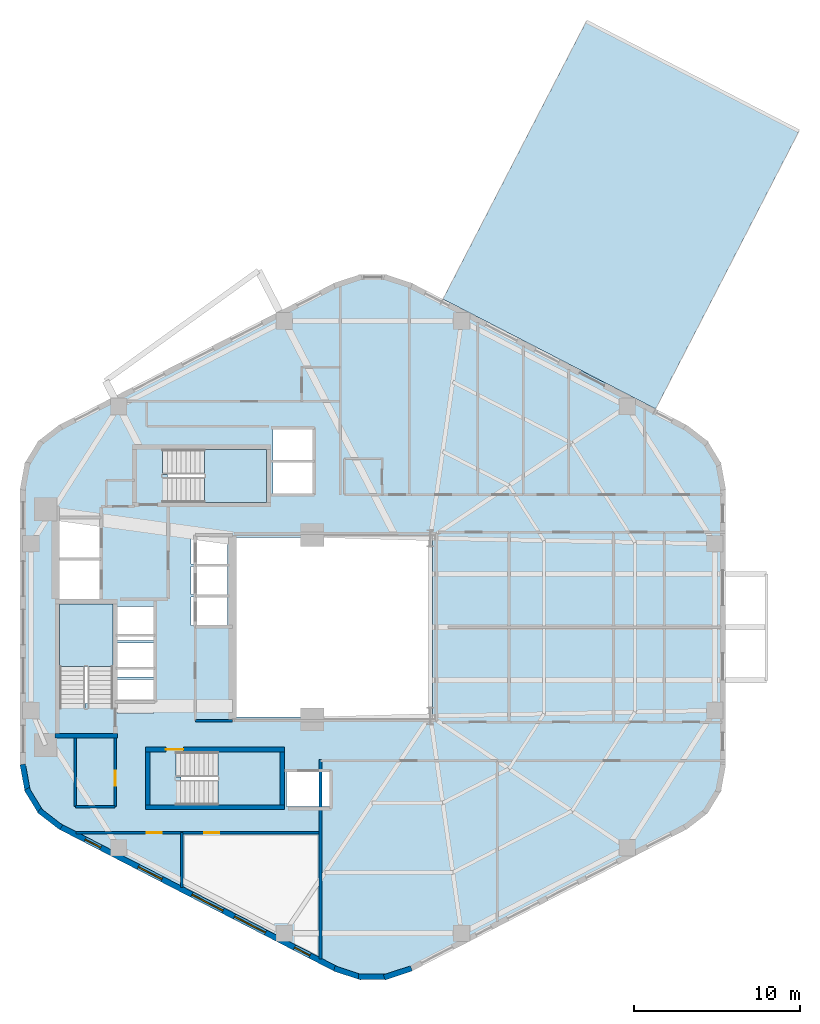
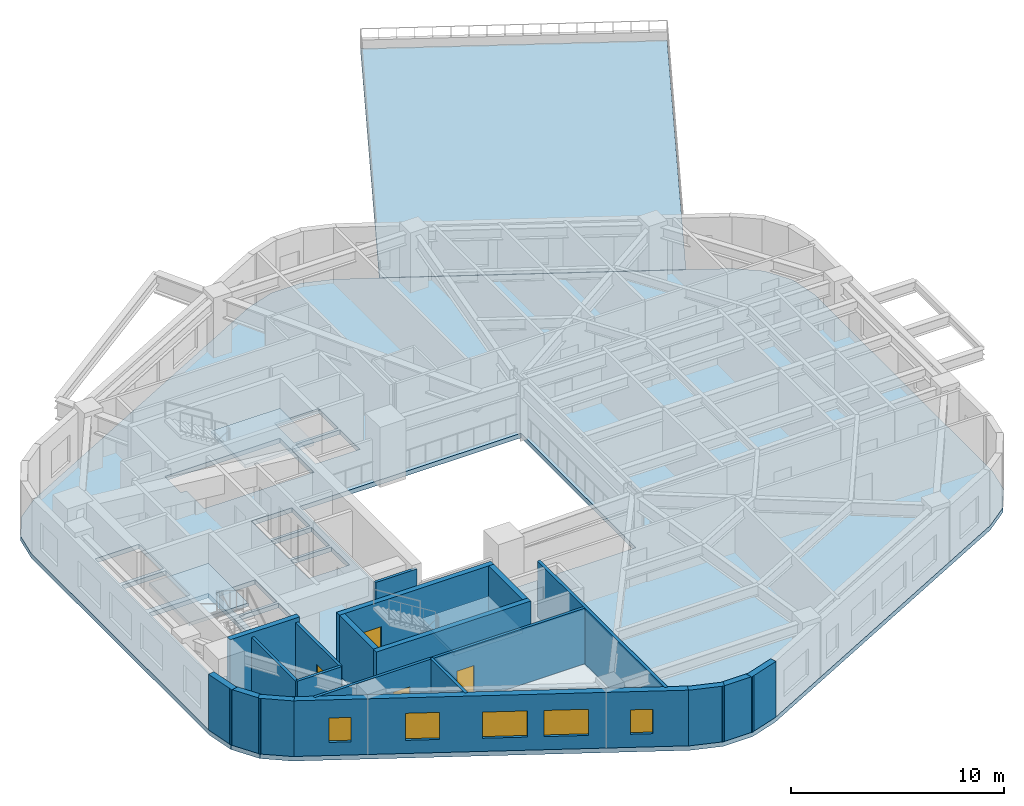
# One storey, part 2 of 8: 19 walls, 5 slabs, 5 windows, 4 doors, 9 openings, 4 elements without a shape of their own.
"""IFC4 building model written with IfcOpenShell, lengths in metres."""

from ifc_helpers import new_model, si_unit, direction, frame, frame_2d, origin, place, context, subcontext, project, spatial, polyline, rectangle, outline, extrude, material, layer, layer_set, type_object, element, fill, aggregate, save


model = new_model("IFC4")

# Units and contexts
model_context = context("Model", 3, precision=1e-05, world=origin(), true_north=direction((0.0, 1.0)))
body_context = subcontext(model_context, "Body", "Model", "MODEL_VIEW")
ifc_project = project(units=[si_unit("LENGTHUNIT", "METRE"), si_unit("AREAUNIT", "SQUARE_METRE"), si_unit("VOLUMEUNIT", "CUBIC_METRE"), si_unit("PLANEANGLEUNIT", "RADIAN"), si_unit("MASSUNIT", "GRAM", prefix="KILO"), si_unit("THERMODYNAMICTEMPERATUREUNIT", "KELVIN"), si_unit("POWERUNIT", "WATT")], contexts=[model_context])

# Site, building, storey
site_placement = place(None, origin())
site = spatial("IfcSite", under=ifc_project, at=site_placement, CompositionType="ELEMENT")
building_placement = place(site_placement, origin())
building = spatial("IfcBuilding", under=site, at=building_placement, Name="Skarre Station Tower", CompositionType="ELEMENT")
storey_placement = place(building_placement, frame((0.0, 0.0, 122.25)))
storey = spatial("IfcBuildingStorey", under=building, at=storey_placement, Name="L32", CompositionType="ELEMENT", Elevation=122.25)

# Roof, slab
ifc_material_1 = material(Name="Precast concrete C40/50", Category="concrete")
ifc_layer_1 = layer(ifc_material_1, 0.320068359375, Name="Precast concrete C40/50")
ifc_layer_set_1 = layer_set([ifc_layer_1], Name="Precast concrete C40/50")
roof_type = type_object("IfcRoofType", Name="Insulated Standing-Seam & Inverted Ballasted Roof Assembly", PredefinedType="FLAT_ROOF", material=ifc_layer_set_1)
roof_placement = place(storey_placement, origin())
roof = element("IfcRoof", 1, at=roof_placement, inside=storey, type_object=roof_type, Name="L32 SB-2 Sky-Bar Roof Assembly", PredefinedType="FLAT_ROOF")
ifc_material_2 = material(Name="Concrete C50/60", Category="concrete")
ifc_layer_2 = layer(ifc_material_2, 0.284912109375, Name="Concrete C50/60")
ifc_layer_set_2 = layer_set([ifc_layer_2], Name="Concrete C50/60")
slab_type_1 = type_object("IfcSlabType", Name="Occupied Terrace Roof Deck Slab 285", PredefinedType="ROOF", material=ifc_layer_set_2)
slab_1_placement = place(storey_placement, frame((0.0, 0.0, -0.284912109375)))
slab_1 = element("IfcSlab", 2, at=slab_1_placement, type_object=slab_type_1, Name="L32 SB-2 Sky-Bar Roof Terrace Deck", PredefinedType="ROOF", context=body_context, shape_type="SweptSolid", body=[
    extrude(outline(polyline([(40.216064453125, 43.736083984375), (53.010986328125, 37.132080078125), (61.6298828125, 53.827880859375), (48.833984375, 60.43310546875), (40.216064453125, 43.736083984375)])), origin(), (0.0, 0.0, 1.0), 0.284912109375),
])
aggregate(roof, [slab_1])

# Stair, slab
ifc_material_3 = material(Name="Concrete C40/50", Category="concrete")
stair_type_1 = type_object("IfcStairType", Name="Reinforced Concrete Exit Stair ST-1", PredefinedType="HALF_TURN_STAIR", material=ifc_material_3)
stair_1_placement = place(storey_placement, origin())
stair_1 = element("IfcStair", 3, at=stair_1_placement, inside=storey, type_object=stair_type_1, Name="L32 Core Exit Stair ST-1", PredefinedType="HALF_TURN_STAIR")
ifc_layer_3 = layer(ifc_material_3, 0.219970703125, Name="Concrete C40/50")
ifc_layer_set_3 = layer_set([ifc_layer_3], Name="Concrete C40/50")
slab_type_2 = type_object("IfcSlabType", Name="Reinforced Concrete Stair & Ramp Landing 220", PredefinedType="LANDING", material=ifc_layer_set_3)
slab_2_placement = place(storey_placement, frame((0.0, 0.0, 1.52490234375)))
slab_2 = element("IfcSlab", 4, at=slab_2_placement, type_object=slab_type_2, Name="ST-1 landing 1", PredefinedType="LANDING", context=body_context, shape_type="SweptSolid", body=[
    extrude(outline(polyline([(20.35009765625, 21.639892578125), (20.35009765625, 25.39990234375), (17.14990234375, 25.39990234375), (17.14990234375, 21.639892578125), (20.35009765625, 21.639892578125)])), origin(), (0.0, 0.0, 1.0), 0.2001953125),
])
aggregate(stair_1, [slab_2])

stair_type_2 = type_object("IfcStairType", Name="Reinforced Concrete Exit Stair ST-2", PredefinedType="HALF_TURN_STAIR", material=ifc_material_3)
stair_2_placement = place(storey_placement, origin())
stair_2 = element("IfcStair", 5, at=stair_2_placement, inside=storey, type_object=stair_type_2, Name="L32 Core Exit Stair ST-2", PredefinedType="HALF_TURN_STAIR")
slab_3_placement = place(storey_placement, frame((0.0, 0.0, 1.52490234375)))
slab_3 = element("IfcSlab", 6, at=slab_3_placement, type_object=slab_type_2, Name="ST-2 landing 1", PredefinedType="LANDING", context=body_context, shape_type="SweptSolid", body=[
    extrude(outline(polyline([(26.669921875, 13.300048828125), (30.39990234375, 13.300048828125), (30.39990234375, 16.5), (26.669921875, 16.5), (26.669921875, 13.300048828125)])), origin(), (0.0, 0.0, 1.0), 0.2001953125),
])
aggregate(stair_2, [slab_3])

stair_type_3 = type_object("IfcStairType", Name="Reinforced Concrete Exit Stair ST-3", PredefinedType="HALF_TURN_STAIR", material=ifc_material_3)
stair_3_placement = place(storey_placement, origin())
stair_3 = element("IfcStair", 7, at=stair_3_placement, inside=storey, type_object=stair_type_3, Name="L32 Core Exit Stair ST-3", PredefinedType="HALF_TURN_STAIR")
slab_4_placement = place(storey_placement, frame((0.0, 0.0, 1.52490234375)))
slab_4 = element("IfcSlab", 8, at=slab_4_placement, type_object=slab_type_2, Name="ST-3 landing 1", PredefinedType="LANDING", context=body_context, shape_type="SweptSolid", body=[
    extrude(outline(polyline([(25.8701171875, 31.5), (29.60009765625, 31.5), (29.60009765625, 34.699951171875), (25.8701171875, 34.699951171875), (25.8701171875, 31.5)])), origin(), (0.0, 0.0, 1.0), 0.2001953125),
])
aggregate(stair_3, [slab_4])

# Slab
ifc_layer_4 = layer(ifc_material_2, 0.260009765625, Name="Concrete C50/60")
ifc_layer_set_4 = layer_set([ifc_layer_4], Name="Concrete C50/60")
slab_type_3 = type_object("IfcSlabType", Name="Tower Typical Composite Floor Slab 260", PredefinedType="FLOOR", material=ifc_layer_set_4)
slab_5_placement = place(storey_placement, frame((0.0, 0.0, -0.260009765625)))
element("IfcSlab", 9, at=slab_5_placement, inside=storey, type_object=slab_type_3, Name="L32 Zone 2 Structural Floor Slab", PredefinedType="FLOOR", context=body_context, shape_type="SweptSolid", body=[
    extrude(outline(polyline([(57.218017578125, 32.35205078125), (56.93701171875, 33.873046875), (56.132080078125, 35.194091796875), (54.908935546875, 36.14111328125), (38.30908203125, 44.708984375), (36.7958984375, 45.2060546875), (35.2041015625, 45.2060546875), (33.69091796875, 44.708984375), (17.091064453125, 36.14111328125), (15.867919921875, 35.194091796875), (15.06298828125, 33.873046875), (14.781982421875, 32.35205078125), (14.781982421875, 15.64794921875), (15.06298828125, 14.126953125), (15.867919921875, 12.805908203125), (17.091064453125, 11.85888671875), (33.69091796875, 3.291015625), (35.2041015625, 2.7939453125), (36.7958984375, 2.7939453125), (38.30908203125, 3.291015625), (54.908935546875, 11.85888671875), (56.132080078125, 12.805908203125), (56.93701171875, 14.126953125), (57.218017578125, 15.64794921875), (57.218017578125, 32.35205078125)]), holes=[polyline([(18.669921875, 19.419921875), (18.669921875, 19.123046875), (17.14990234375, 19.123046875), (17.14990234375, 25.39990234375), (20.35009765625, 25.39990234375), (20.35009765625, 19.419921875), (18.669921875, 19.419921875)]), polyline([(24.449951171875, 14.97998046875), (24.153076171875, 14.97998046875), (24.153076171875, 16.5), (30.39990234375, 16.5), (30.39990234375, 13.300048828125), (24.449951171875, 13.300048828125), (24.449951171875, 14.97998046875)]), polyline([(23.64990234375, 33.179931640625), (23.35302734375, 33.179931640625), (23.35302734375, 34.699951171875), (29.60009765625, 34.699951171875), (29.60009765625, 31.5), (23.64990234375, 31.5), (23.64990234375, 33.179931640625)]), polyline([(17.14990234375, 28.0), (19.550048828125, 28.0), (19.550048828125, 25.699951171875), (17.14990234375, 25.699951171875), (17.14990234375, 28.0)]), polyline([(17.14990234375, 30.5), (19.550048828125, 30.5), (19.550048828125, 28.199951171875), (17.14990234375, 28.199951171875), (17.14990234375, 30.5)]), polyline([(30.800048828125, 15.300048828125), (33.39990234375, 15.300048828125), (33.39990234375, 13.199951171875), (30.800048828125, 13.199951171875), (30.800048828125, 15.300048828125)]), polyline([(25.050048828125, 25.800048828125), (27.25, 25.800048828125), (27.25, 24.10009765625), (25.050048828125, 24.10009765625), (25.050048828125, 25.800048828125)]), polyline([(25.050048828125, 27.64990234375), (27.25, 27.64990234375), (27.25, 25.949951171875), (25.050048828125, 25.949951171875), (25.050048828125, 27.64990234375)]), polyline([(25.050048828125, 29.5), (27.25, 29.5), (27.25, 27.800048828125), (25.050048828125, 27.800048828125), (25.050048828125, 29.5)]), polyline([(20.64990234375, 20.85009765625), (22.800048828125, 20.85009765625), (22.800048828125, 18.800048828125), (20.64990234375, 18.800048828125), (20.64990234375, 20.85009765625)]), polyline([(20.64990234375, 23.050048828125), (22.800048828125, 23.050048828125), (22.800048828125, 21.0), (20.64990234375, 21.0), (20.64990234375, 23.050048828125)]), polyline([(20.64990234375, 25.25), (22.800048828125, 25.25), (22.800048828125, 23.199951171875), (20.64990234375, 23.199951171875), (20.64990234375, 25.25)]), polyline([(30.0, 33.89990234375), (32.39990234375, 33.89990234375), (32.39990234375, 32.050048828125), (30.0, 32.050048828125), (30.0, 33.89990234375)]), polyline([(30.0, 35.89990234375), (32.39990234375, 35.89990234375), (32.39990234375, 34.050048828125), (30.0, 34.050048828125), (30.0, 35.89990234375)]), polyline([(27.60009765625, 29.39990234375), (39.60009765625, 29.39990234375), (39.60009765625, 18.60009765625), (27.60009765625, 18.60009765625), (27.60009765625, 29.39990234375)])]), origin(), (0.0, 0.0, 1.0), 0.260009765625),
])

# Walls
ifc_material_4 = material(Name="Acoustic Steel-Stud Gypsum Partition", Category="steel")
ifc_layer_5 = layer(ifc_material_4, 0.14990234375, Name="Acoustic Steel-Stud Gypsum Partition")
ifc_layer_set_5 = layer_set([ifc_layer_5], Name="Acoustic Steel-Stud Gypsum Partition")
wall_type_1 = type_object("IfcWallType", Name="Fire-Rated Corridor Acoustic Partition 150", PredefinedType="PARTITIONING", material=ifc_layer_set_5)
wall_1_placement = place(storey_placement, frame((25.320068359375, 18.360107421875, 0.0), z_axis=(0.0, 0.0, 1.0), x_axis=(1.0, 0.0, 0.0)))
element("IfcWall", 10, at=wall_1_placement, inside=storey, type_object=wall_type_1, Name="L32 Interior Partition WL-PT-L32-RC1-S", PredefinedType="PARTITIONING", context=body_context, shape_type="SweptSolid", body=[
    extrude(rectangle(XDim=2.22998046875, YDim=0.14990234375, at=frame_2d((1.114990234375, 0.0))), origin(), (0.0, 0.0, 1.0), 3.18994140625),
])
wall_2_placement = place(storey_placement, frame((18.10009765625, 17.340087890625, 0.0), z_axis=(0.0, 0.0, 1.0), x_axis=(0.0, -1.0, 0.0)))
element("IfcWall", 11, at=wall_2_placement, inside=storey, type_object=wall_type_1, Name="L32 Interior Partition WL-PT-L32-CSVC-W", PredefinedType="PARTITIONING", context=body_context, shape_type="SweptSolid", body=[
    extrude(rectangle(XDim=4.14013671875, YDim=0.14990234375, at=frame_2d((2.070068359375, 0.0))), origin(), (0.0, 0.0, 1.0), 3.18994140625),
])
wall_3_placement = place(storey_placement, frame((18.10009765625, 13.199951171875, 0.0), z_axis=(0.0, 0.0, 1.0), x_axis=(1.0, 0.0, 0.0)))
element("IfcWall", 12, at=wall_3_placement, inside=storey, type_object=wall_type_1, Name="L32 Interior Partition WL-PT-L32-CSVC-S", PredefinedType="PARTITIONING", context=body_context, shape_type="SweptSolid", body=[
    extrude(rectangle(XDim=2.389892578125, YDim=0.14990234375, at=frame_2d((1.19482421875, 0.0))), origin(), (0.0, 0.0, 1.0), 3.18994140625),
])

# Wall, opening, door
wall_4_placement = place(storey_placement, frame((20.489990234375, 13.199951171875, 0.0), z_axis=(0.0, 0.0, 1.0), x_axis=(0.0, 1.0, 0.0)))
wall_4 = element("IfcWall", 13, at=wall_4_placement, inside=storey, type_object=wall_type_1, Name="L32 Interior Partition WL-PT-L32-CSVC-E", PredefinedType="PARTITIONING", context=body_context, shape_type="SweptSolid", body=[
    extrude(rectangle(XDim=4.14013671875, YDim=0.14990234375, at=frame_2d((2.070068359375, 0.0))), origin(), (0.0, 0.0, 1.0), 3.18994140625),
])
opening_1_placement = place(wall_4_placement, frame((1.25, 0.0, 0.0)))
opening_1 = element("IfcOpeningElement", 14, at=opening_1_placement, cuts=wall_4, Name="Opening DR-SVC90", PredefinedType="OPENING", context=body_context, shape_type="SweptSolid", body=[
    extrude(rectangle(XDim=0.89990234375, YDim=2.0, at=frame_2d((0.449951171875, 1.0))), frame((0.0, 0.0849609375, 0.0), z_axis=(0.0, -1.0, 0.0), x_axis=(1.0, 0.0, 0.0)), (0.0, 0.0, 1.0), 0.169921875),
])
ifc_material_5 = material(Name="Powder-Coated Hollow-Metal Acoustic Fire Leaf", Category="steel")
door_type_1 = type_object("IfcDoorType", Name="Service & Riser Fire Door FD60 900x2100", OperationType="SINGLE_SWING_LEFT", PredefinedType="DOOR", material=ifc_material_5)
door_1_placement = place(opening_1_placement, origin())
door_1 = element("IfcDoor", 15, at=door_1_placement, inside=storey, type_object=door_type_1, Name="L32 Core Pantry Door", OperationType="SINGLE_SWING_LEFT", OverallHeight=2.0, OverallWidth=0.89990234375, PredefinedType="DOOR", context=body_context, shape_type="SweptSolid", body=[
    extrude(rectangle(XDim=0.89990234375, YDim=2.0, at=frame_2d((0.449951171875, 1.0))), frame((0.0, 0.02490234375, 0.0), z_axis=(0.0, -1.0, 0.0), x_axis=(1.0, 0.0, 0.0)), (0.0, 0.0, 1.0), 0.050048828125),
])
fill(opening_1, door_1)

# Wall
wall_5_placement = place(storey_placement, frame((24.5, 8.35009765625, 0.0), z_axis=(0.0, 0.0, 1.0), x_axis=(0.0, 1.0, 0.0)))
element("IfcWall", 16, at=wall_5_placement, inside=storey, type_object=wall_type_1, Name="L32 Interior Partition WL-PT-L32-SWP-M", PredefinedType="PARTITIONING", context=body_context, shape_type="SweptSolid", body=[
    extrude(rectangle(XDim=3.289794921875, YDim=0.14990234375, at=frame_2d((1.64501953125, 0.0))), origin(), (0.0, 0.0, 1.0), 3.18994140625),
])

# Wall, openings, doors
wall_6_placement = place(storey_placement, frame((18.1259765625, 11.639892578125, 0.0), z_axis=(0.0, 0.0, 1.0), x_axis=(1.0, 0.0, 0.0)))
wall_6 = element("IfcWall", 17, at=wall_6_placement, inside=storey, type_object=wall_type_1, Name="L32 Interior Partition WL-PT-L32-SWP-N", PredefinedType="PARTITIONING", context=body_context, shape_type="SweptSolid", body=[
    extrude(rectangle(XDim=14.72412109375, YDim=0.14990234375, at=frame_2d((7.362060546875, 0.0))), origin(), (0.0, 0.0, 1.0), 3.18994140625),
])
opening_2_placement = place(wall_6_placement, frame((4.27392578125, 0.0, 0.0)))
opening_2 = element("IfcOpeningElement", 18, at=opening_2_placement, cuts=wall_6, Name="Opening DR-SVC90", PredefinedType="OPENING", context=body_context, shape_type="SweptSolid", body=[
    extrude(rectangle(XDim=0.89990234375, YDim=2.0, at=frame_2d((0.449951171875, 1.0))), frame((0.0, 0.0849609375, 0.0), z_axis=(0.0, -1.0, 0.0), x_axis=(1.0, 0.0, 0.0)), (0.0, 0.0, 1.0), 0.169921875),
])
opening_3_placement = place(wall_6_placement, frame((7.72412109375, 0.0, 0.0)))
opening_3 = element("IfcOpeningElement", 19, at=opening_3_placement, cuts=wall_6, Name="Opening DR-SVC90", PredefinedType="OPENING", context=body_context, shape_type="SweptSolid", body=[
    extrude(rectangle(XDim=0.89990234375, YDim=2.0, at=frame_2d((0.449951171875, 1.0))), frame((0.0, 0.0849609375, 0.0), z_axis=(0.0, -1.0, 0.0), x_axis=(1.0, 0.0, 0.0)), (0.0, 0.0, 1.0), 0.169921875),
])
door_2_placement = place(opening_2_placement, origin())
door_2 = element("IfcDoor", 20, at=door_2_placement, inside=storey, type_object=door_type_1, Name="L32 Floor Public Toilets Door", OperationType="SINGLE_SWING_LEFT", OverallHeight=2.0, OverallWidth=0.89990234375, PredefinedType="DOOR", context=body_context, shape_type="SweptSolid", body=[
    extrude(rectangle(XDim=0.89990234375, YDim=2.0, at=frame_2d((0.449951171875, 1.0))), frame((0.0, 0.02490234375, 0.0), z_axis=(0.0, -1.0, 0.0), x_axis=(1.0, 0.0, 0.0)), (0.0, 0.0, 1.0), 0.050048828125),
])
fill(opening_2, door_2)
door_3_placement = place(opening_3_placement, origin())
door_3 = element("IfcDoor", 21, at=door_3_placement, inside=storey, type_object=door_type_1, Name="L32 Housekeeping Room Door", OperationType="SINGLE_SWING_LEFT", OverallHeight=2.0, OverallWidth=0.89990234375, PredefinedType="DOOR", context=body_context, shape_type="SweptSolid", body=[
    extrude(rectangle(XDim=0.89990234375, YDim=2.0, at=frame_2d((0.449951171875, 1.0))), frame((0.0, 0.02490234375, 0.0), z_axis=(0.0, -1.0, 0.0), x_axis=(1.0, 0.0, 0.0)), (0.0, 0.0, 1.0), 0.050048828125),
])
fill(opening_3, door_3)

# Wall, openings, windows
ifc_material_6 = material(Name="Precast concrete C45/55", Category="concrete")
ifc_layer_6 = layer(ifc_material_6, 0.340087890625, Name="Precast concrete C45/55")
ifc_layer_set_6 = layer_set([ifc_layer_6], Name="Precast concrete C45/55")
wall_type_2 = type_object("IfcWallType", Name="Nordic Honed Precast Facet Wall 340", PredefinedType="STANDARD", material=ifc_layer_set_6)
wall_7_placement = place(storey_placement, frame((33.76904296875, 3.44189453125, 0.0), z_axis=(0.0, 0.0, 1.0), x_axis=(-0.888613612362, 0.458656568606, 0.0)))
wall_7 = element("IfcWall", 22, at=wall_7_placement, inside=storey, type_object=wall_type_2, Name="L32 Facet 3 Nordic Precast Masonry Wall", PredefinedType="STANDARD", context=body_context, shape_type="SweptSolid", body=[
    extrude(rectangle(XDim=18.680908203125, YDim=0.340087890625, at=frame_2d((9.34033203125, 0.0))), origin(), (0.0, 0.0, 1.0), 3.18994140625),
])
opening_4_placement = place(wall_7_placement, frame((1.75, 0.0, 0.75)))
opening_4 = element("IfcOpeningElement", 23, at=opening_4_placement, cuts=wall_7, Name="Opening WN-SLT", PredefinedType="OPENING", context=body_context, shape_type="SweptSolid", body=[
    extrude(rectangle(XDim=1.050048828125, YDim=1.39990234375, at=frame_2d((0.52490234375, 0.699951171875))), frame((0.0, 0.179931640625, 0.0), z_axis=(0.0, -1.0, 0.0), x_axis=(1.0, 0.0, 0.0)), (0.0, 0.0, 1.0), 0.360107421875),
])
opening_5_placement = place(wall_7_placement, frame((4.764892578125, 0.0, 0.75)))
opening_5 = element("IfcOpeningElement", 24, at=opening_5_placement, cuts=wall_7, Name="Opening WN-Z2B", PredefinedType="OPENING", context=body_context, shape_type="SweptSolid", body=[
    extrude(rectangle(XDim=2.10009765625, YDim=1.5, at=frame_2d((1.050048828125, 0.75))), frame((0.0, 0.179931640625, 0.0), z_axis=(0.0, -1.0, 0.0), x_axis=(1.0, 0.0, 0.0)), (0.0, 0.0, 1.0), 0.360107421875),
])
opening_6_placement = place(wall_7_placement, frame((7.64404296875, 0.0, 0.75)))
opening_6 = element("IfcOpeningElement", 25, at=opening_6_placement, cuts=wall_7, Name="Opening WN-Z2B", PredefinedType="OPENING", context=body_context, shape_type="SweptSolid", body=[
    extrude(rectangle(XDim=2.10009765625, YDim=1.5, at=frame_2d((1.050048828125, 0.75))), frame((0.0, 0.179931640625, 0.0), z_axis=(0.0, -1.0, 0.0), x_axis=(1.0, 0.0, 0.0)), (0.0, 0.0, 1.0), 0.360107421875),
])
opening_7_placement = place(wall_7_placement, frame((11.77392578125, 0.0, 0.75)))
opening_7 = element("IfcOpeningElement", 26, at=opening_7_placement, cuts=wall_7, Name="Opening WN-Z2A", PredefinedType="OPENING", context=body_context, shape_type="SweptSolid", body=[
    extrude(rectangle(XDim=1.60009765625, YDim=1.550048828125, at=frame_2d((0.800048828125, 0.77490234375))), frame((0.0, 0.179931640625, 0.0), z_axis=(0.0, -1.0, 0.0), x_axis=(1.0, 0.0, 0.0)), (0.0, 0.0, 1.0), 0.360107421875),
])
opening_8_placement = place(wall_7_placement, frame((15.919921875, 0.0, 0.75)))
opening_8 = element("IfcOpeningElement", 27, at=opening_8_placement, cuts=wall_7, Name="Opening WN-SLT", PredefinedType="OPENING", context=body_context, shape_type="SweptSolid", body=[
    extrude(rectangle(XDim=1.050048828125, YDim=1.39990234375, at=frame_2d((0.52490234375, 0.699951171875))), frame((0.0, 0.179931640625, 0.0), z_axis=(0.0, -1.0, 0.0), x_axis=(1.0, 0.0, 0.0)), (0.0, 0.0, 1.0), 0.360107421875),
])
ifc_material_7 = material(Name="Low-Iron Triple Glazing with Bronze Anodized Frame", Category="glass")
window_type_1 = type_object("IfcWindowType", Name="Nordic Corner Slot Window 1050x1400", PartitioningType="SINGLE_PANEL", PredefinedType="WINDOW", material=ifc_material_7)
window_1_placement = place(opening_4_placement, origin())
window_1 = element("IfcWindow", 28, at=window_1_placement, inside=storey, type_object=window_type_1, Name="L32 Facade Window WL-FAC-L32-F3-1", OverallHeight=1.39990234375, OverallWidth=1.050048828125, PartitioningType="SINGLE_PANEL", PredefinedType="WINDOW", context=body_context, shape_type="SweptSolid", body=[
    extrude(rectangle(XDim=1.050048828125, YDim=1.39990234375, at=frame_2d((0.52490234375, 0.699951171875))), frame((0.0, 0.030029296875, 0.0), z_axis=(0.0, -1.0, 0.0), x_axis=(1.0, 0.0, 0.0)), (0.0, 0.0, 1.0), 0.06005859375),
])
fill(opening_4, window_1)
window_2_placement = place(opening_8_placement, origin())
window_2 = element("IfcWindow", 29, at=window_2_placement, inside=storey, type_object=window_type_1, Name="L32 Facade Window WL-FAC-L32-F3-5", OverallHeight=1.39990234375, OverallWidth=1.050048828125, PartitioningType="SINGLE_PANEL", PredefinedType="WINDOW", context=body_context, shape_type="SweptSolid", body=[
    extrude(rectangle(XDim=1.050048828125, YDim=1.39990234375, at=frame_2d((0.52490234375, 0.699951171875))), frame((0.0, 0.030029296875, 0.0), z_axis=(0.0, -1.0, 0.0), x_axis=(1.0, 0.0, 0.0)), (0.0, 0.0, 1.0), 0.06005859375),
])
fill(opening_8, window_2)
window_type_2 = type_object("IfcWindowType", Name="Nordic Residential Tall Window 1600x1550", PartitioningType="SINGLE_PANEL", PredefinedType="WINDOW", material=ifc_material_7)
window_3_placement = place(opening_7_placement, origin())
window_3 = element("IfcWindow", 30, at=window_3_placement, inside=storey, type_object=window_type_2, Name="L32 Facade Window WL-FAC-L32-F3-4", OverallHeight=1.550048828125, OverallWidth=1.60009765625, PartitioningType="SINGLE_PANEL", PredefinedType="WINDOW", context=body_context, shape_type="SweptSolid", body=[
    extrude(rectangle(XDim=1.60009765625, YDim=1.550048828125, at=frame_2d((0.800048828125, 0.77490234375))), frame((0.0, 0.030029296875, 0.0), z_axis=(0.0, -1.0, 0.0), x_axis=(1.0, 0.0, 0.0)), (0.0, 0.0, 1.0), 0.06005859375),
])
fill(opening_7, window_3)
window_type_3 = type_object("IfcWindowType", Name="Nordic Residential Twin Window 2100x1500", PartitioningType="SINGLE_PANEL", PredefinedType="WINDOW", material=ifc_material_7)
window_4_placement = place(opening_5_placement, origin())
window_4 = element("IfcWindow", 31, at=window_4_placement, inside=storey, type_object=window_type_3, Name="L32 Facade Window WL-FAC-L32-F3-2", OverallHeight=1.5, OverallWidth=2.10009765625, PartitioningType="SINGLE_PANEL", PredefinedType="WINDOW", context=body_context, shape_type="SweptSolid", body=[
    extrude(rectangle(XDim=2.10009765625, YDim=1.5, at=frame_2d((1.050048828125, 0.75))), frame((0.0, 0.030029296875, 0.0), z_axis=(0.0, -1.0, 0.0), x_axis=(1.0, 0.0, 0.0)), (0.0, 0.0, 1.0), 0.06005859375),
])
fill(opening_5, window_4)
window_5_placement = place(opening_6_placement, origin())
window_5 = element("IfcWindow", 32, at=window_5_placement, inside=storey, type_object=window_type_3, Name="L32 Facade Window WL-FAC-L32-F3-3", OverallHeight=1.5, OverallWidth=2.10009765625, PartitioningType="SINGLE_PANEL", PredefinedType="WINDOW", context=body_context, shape_type="SweptSolid", body=[
    extrude(rectangle(XDim=2.10009765625, YDim=1.5, at=frame_2d((1.050048828125, 0.75))), frame((0.0, 0.030029296875, 0.0), z_axis=(0.0, -1.0, 0.0), x_axis=(1.0, 0.0, 0.0)), (0.0, 0.0, 1.0), 0.06005859375),
])
fill(opening_6, window_5)

# Walls
ifc_layer_7 = layer(ifc_material_6, 0.330078125, Name="Precast concrete C45/55")
ifc_layer_set_7 = layer_set([ifc_layer_7], Name="Precast concrete C45/55")
wall_type_3 = type_object("IfcWallType", Name="Nordic Rounded Corner Precast Wall 330", PredefinedType="STANDARD", material=ifc_layer_set_7)
wall_8_placement = place(storey_placement, frame((17.242919921875, 11.949951171875, 0.0), z_axis=(0.0, 0.0, 1.0), x_axis=(-0.790621329885, 0.612305408053, 0.0)))
element("IfcWall", 33, at=wall_8_placement, inside=storey, type_object=wall_type_3, Name="L32 Rounded Corner Precast Wall F3-1", PredefinedType="STANDARD", context=body_context, shape_type="SweptSolid", body=[
    extrude(rectangle(XDim=1.67578125, YDim=0.330078125, at=frame_2d((0.837890625, 0.0))), origin(), (0.0, 0.0, 1.0), 3.18994140625),
])
wall_9_placement = place(storey_placement, frame((16.04296875, 12.8359375, 0.0), z_axis=(0.0, 0.0, 1.0), x_axis=(-0.520519429557, 0.853849824883, 0.0)))
element("IfcWall", 34, at=wall_9_placement, inside=storey, type_object=wall_type_3, Name="L32 Rounded Corner Precast Wall F3-2", PredefinedType="STANDARD", context=body_context, shape_type="SweptSolid", body=[
    extrude(rectangle(XDim=1.67724609375, YDim=0.330078125, at=frame_2d((0.838623046875, 0.0))), origin(), (0.0, 0.0, 1.0), 3.18994140625),
])
wall_10_placement = place(storey_placement, frame((15.237060546875, 14.093017578125, 0.0), z_axis=(0.0, 0.0, 1.0), x_axis=(-0.181984991895, 0.983301308209, 0.0)))
element("IfcWall", 35, at=wall_10_placement, inside=storey, type_object=wall_type_3, Name="L32 Rounded Corner Precast Wall F3-3", PredefinedType="STANDARD", context=body_context, shape_type="SweptSolid", body=[
    extrude(rectangle(XDim=1.677001953125, YDim=0.330078125, at=frame_2d((0.83837890625, 0.0))), origin(), (0.0, 0.0, 1.0), 3.18994140625),
])
for number, where, z_axis, x_axis, name in (
    (36, (38.319091796875, 3.468017578125, 0.0), (0.0, 0.0, 1.0), (-0.949937416267, -0.312440242569, 0.0), "L32 Rounded Corner Precast Wall F4-1"),
    (37, (36.861083984375, 2.958984375, 0.0), (0.0, 0.0, 1.0), (-1.0, 0.0, 0.0), "L32 Rounded Corner Precast Wall F4-2"),
    (38, (35.31689453125, 2.929931640625, 0.0), (0.0, 0.0, 1.0), (-0.949937416267, 0.312440242569, 0.0), "L32 Rounded Corner Precast Wall F4-3"),
):
    element("IfcWall", number, at=place(storey_placement, frame(where, z_axis=z_axis, x_axis=x_axis)), inside=storey, type_object=wall_type_3, Name=name, PredefinedType="STANDARD", context=body_context, shape_type="SweptSolid", body=[
        extrude(rectangle(XDim=1.72216796875, YDim=0.330078125, at=frame_2d((0.861083984375, 0.0))), origin(), (0.0, 0.0, 1.0), 3.18994140625),
    ])
ifc_layer_8 = layer(ifc_material_2, 0.280029296875, Name="Concrete C50/60")
ifc_layer_set_8 = layer_set([ifc_layer_8], Name="Concrete C50/60")
wall_type_4 = type_object("IfcWallType", Name="RC Core Shear Wall 280", PredefinedType="SHEAR", material=ifc_layer_set_8)
wall_11_placement = place(storey_placement, frame((16.8701171875, 17.4599609375, 0.0), z_axis=(0.0, 0.0, 1.0), x_axis=(1.0, 0.0, 0.0)))
element("IfcWall", 39, at=wall_11_placement, inside=storey, type_object=wall_type_4, Name="L32 Stair ST-1 South Shear Wall", PredefinedType="SHEAR", context=body_context, shape_type="SweptSolid", body=[
    extrude(rectangle(XDim=3.759765625, YDim=0.280029296875, at=frame_2d((1.8798828125, 0.0))), origin(), (0.0, 0.0, 1.0), 3.449951171875),
])
wall_12_placement = place(storey_placement, frame((22.320068359375, 13.159912109375, 0.0), z_axis=(0.0, 0.0, 1.0), x_axis=(1.0, 0.0, 0.0)))
element("IfcWall", 40, at=wall_12_placement, inside=storey, type_object=wall_type_4, Name="L32 Stair ST-2 South Shear Wall", PredefinedType="SHEAR", context=body_context, shape_type="SweptSolid", body=[
    extrude(rectangle(XDim=8.35986328125, YDim=0.280029296875, at=frame_2d((4.179931640625, 0.0))), origin(), (0.0, 0.0, 1.0), 3.449951171875),
])

# Wall, opening, door
wall_13_placement = place(storey_placement, frame((30.679931640625, 16.639892578125, 0.0), z_axis=(0.0, 0.0, 1.0), x_axis=(-1.0, 0.0, 0.0)))
wall_13 = element("IfcWall", 41, at=wall_13_placement, inside=storey, type_object=wall_type_4, Name="L32 Stair ST-2 North Shear Wall", PredefinedType="SHEAR", context=body_context, shape_type="SweptSolid", body=[
    extrude(rectangle(XDim=8.35986328125, YDim=0.280029296875, at=frame_2d((4.179931640625, 0.0))), origin(), (0.0, 0.0, 1.0), 3.449951171875),
])
opening_9_placement = place(wall_13_placement, frame((6.080078125, 0.0, 0.0)))
opening_9 = element("IfcOpeningElement", 42, at=opening_9_placement, cuts=wall_13, Name="Opening DR-FD90", PredefinedType="OPENING", context=body_context, shape_type="SweptSolid", body=[
    extrude(rectangle(XDim=1.050048828125, YDim=2.0, at=frame_2d((0.52490234375, 1.0))), frame((0.0, 0.14990234375, 0.0), z_axis=(0.0, -1.0, 0.0), x_axis=(1.0, 0.0, 0.0)), (0.0, 0.0, 1.0), 0.300048828125),
])
ifc_material_8 = material(Name="Fire-Rated Insulated Steel Frame & Timber Core Leaf", Category="steel")
door_type_2 = type_object("IfcDoorType", Name="Stair & FSAE Lobby Fire Door FD90 1050x2150", OperationType="SINGLE_SWING_RIGHT", PredefinedType="DOOR", material=ifc_material_8)
door_4_placement = place(opening_9_placement, origin())
door_4 = element("IfcDoor", 43, at=door_4_placement, inside=storey, type_object=door_type_2, Name="L32 Stair ST-2 Exit Door", OperationType="SINGLE_SWING_RIGHT", OverallHeight=2.0, OverallWidth=1.050048828125, PredefinedType="DOOR", context=body_context, shape_type="SweptSolid", body=[
    extrude(rectangle(XDim=1.050048828125, YDim=2.0, at=frame_2d((0.52490234375, 1.0))), frame((0.0, 0.02490234375, 0.0), z_axis=(0.0, -1.0, 0.0), x_axis=(1.0, 0.0, 0.0)), (0.0, 0.0, 1.0), 0.050048828125),
])
fill(opening_9, door_4)

# Walls
for number, where, z_axis, x_axis, name in (
    (44, (22.4599609375, 16.5, 0.0), (0.0, 0.0, 1.0), (0.0, -1.0, 0.0), "L32 Stair ST-2 West Shear Wall"),
    (45, (30.5400390625, 13.300048828125, 0.0), (0.0, 0.0, 1.0), (0.0, 1.0, 0.0), "L32 Stair ST-2 East Shear Wall"),
):
    element("IfcWall", number, at=place(storey_placement, frame(where, z_axis=z_axis, x_axis=x_axis)), inside=storey, type_object=wall_type_4, Name=name, PredefinedType="SHEAR", context=body_context, shape_type="SweptSolid", body=[
        extrude(rectangle(XDim=3.199951171875, YDim=0.280029296875, at=frame_2d((1.60009765625, 0.0))), origin(), (0.0, 0.0, 1.0), 3.449951171875),
    ])
ifc_layer_9 = layer(ifc_material_4, 0.1650390625, Name="Acoustic Steel-Stud Gypsum Partition")
ifc_layer_set_9 = layer_set([ifc_layer_9], Name="Acoustic Steel-Stud Gypsum Partition")
wall_type_5 = type_object("IfcWallType", Name="Suite Demising Acoustic Partition 165", PredefinedType="PARTITIONING", material=ifc_layer_set_9)
wall_14_placement = place(storey_placement, frame((32.85009765625, 4.0400390625, 0.0), z_axis=(0.0, 0.0, 1.0), x_axis=(0.0, 1.0, 0.0)))
element("IfcWall", 46, at=wall_14_placement, inside=storey, type_object=wall_type_5, Name="L32 Interior Partition WL-PT-L32-SWP-E", PredefinedType="PARTITIONING", context=body_context, shape_type="SweptSolid", body=[
    extrude(rectangle(XDim=11.989990234375, YDim=0.1650390625, at=frame_2d((5.9951171875, 0.0))), origin(), (0.0, 0.0, 1.0), 3.18994140625),
])

save(model, "model.ifc")
